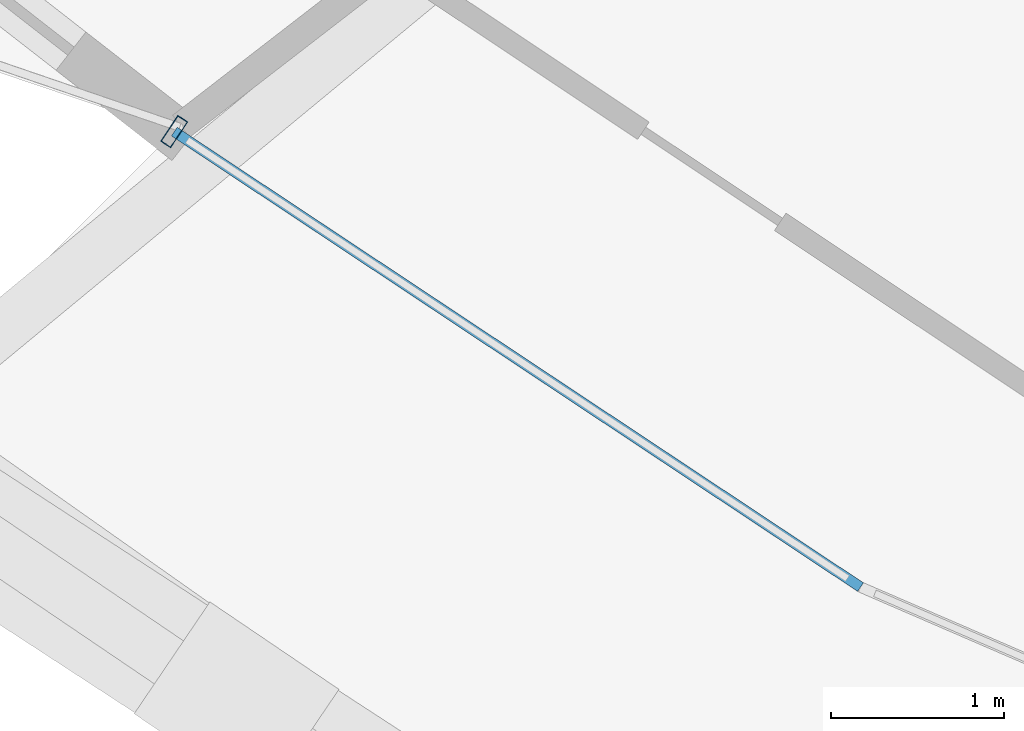
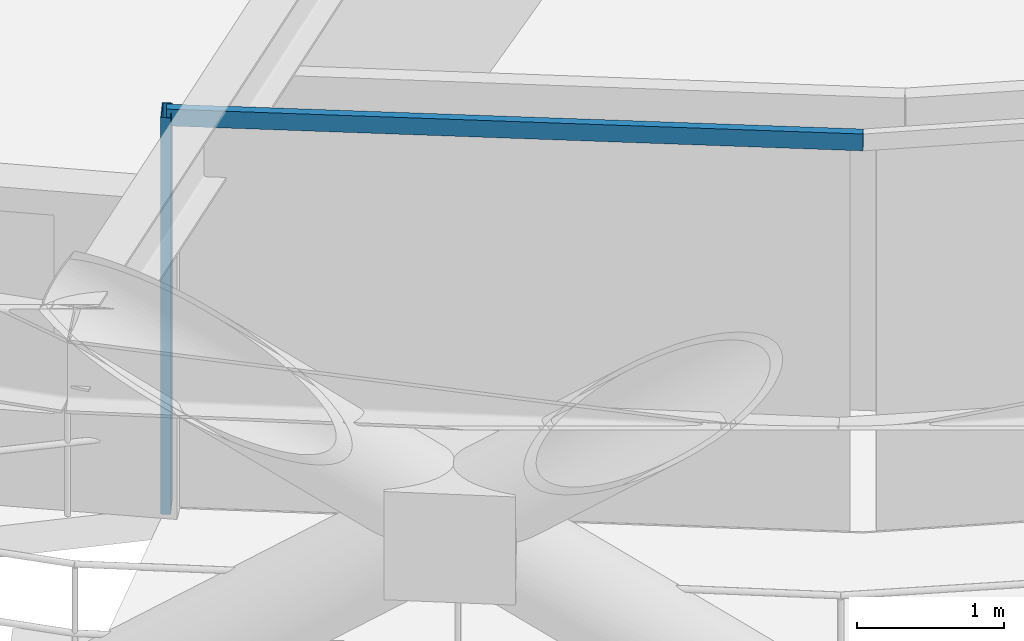
# One storey, part 2 of 21: 2 members, 1 element without a shape of its own.
"""IFC4 building model written with IfcOpenShell, lengths in metres."""

from ifc_helpers import new_model, si_unit, direction, frame, origin, origin_2d, place, context, subcontext, project, spatial, hollow_rectangle, extrude, material, layer, layer_set, material_profile, profile_set, type_object, element, aggregate, save


model = new_model("IFC4")

# Units and contexts
model_context = context("Model", 3, precision=1e-05, world=origin(), true_north=direction((0.0, 1.0)))
body_context = subcontext(model_context, "Body", "Model", "MODEL_VIEW")
ifc_project = project(units=[si_unit("LENGTHUNIT", "METRE"), si_unit("AREAUNIT", "SQUARE_METRE"), si_unit("VOLUMEUNIT", "CUBIC_METRE"), si_unit("PLANEANGLEUNIT", "RADIAN"), si_unit("MASSUNIT", "GRAM", prefix="KILO")], contexts=[model_context])

# Site, building, storey
site_placement = place(None, origin())
site = spatial("IfcSite", under=ifc_project, at=site_placement, CompositionType="ELEMENT")
building_placement = place(site_placement, origin())
building = spatial("IfcBuilding", under=site, at=building_placement, Name="Veldorina Hangang Commons", CompositionType="ELEMENT")
storey_placement = place(building_placement, frame((0.0, 0.0, 59.199951171875)))
storey = spatial("IfcBuildingStorey", under=building, at=storey_placement, Name="L14", CompositionType="ELEMENT", Elevation=59.199951171875)

# Curtain wall, members
ifc_material_1 = material(Name="Glass Low-E Triple IGU", Category="glass")
ifc_layer = layer(ifc_material_1, 0.179931640625)
ifc_layer_set = layer_set([ifc_layer], Name="Glass Low-E Triple IGU")
curtain_wall_type = type_object("IfcCurtainWallType", Name="CW-SYS-Z1", PredefinedType="NOTDEFINED", material=ifc_layer_set)
curtain_wall_placement = place(storey_placement, origin())
curtain_wall = element("IfcCurtainWall", 1, at=curtain_wall_placement, inside=storey, type_object=curtain_wall_type, Name="L14 unitised curtain wall CW-L14-R1", PredefinedType="NOTDEFINED")
ifc_material_2 = material(Name="Aluminium Anodized AA6063-T6", Category="aluminium")
ifc_material_profile_1 = material_profile(ifc_material_2, hollow_rectangle(XDim=0.070068359375, YDim=0.179931640625, WallThickness=0.00390625, at=origin_2d()), Name="ALU-RHS-180x70x4")
ifc_profile_set_1 = profile_set([ifc_material_profile_1], Name="Aluminium Anodized AA6063-T6")
member_type_1 = type_object("IfcMemberType", Name="CW-MUL-180", PredefinedType="MULLION", material=ifc_profile_set_1)
member_1_placement = place(storey_placement, frame((13.507080078125, 9.042724609375, 0.0), z_axis=(0.0, 0.0, 1.0), x_axis=(0.833162624029, -0.553028066124, 0.0)))
member_1 = element("IfcMember", 2, at=member_1_placement, type_object=member_type_1, Name="CW-L14-R1 vertical mullion 1", PredefinedType="MULLION", context=body_context, shape_type="SweptSolid", body=[
    extrude(hollow_rectangle(XDim=0.070068359375, YDim=0.179931640625, WallThickness=0.00390625, at=origin_2d()), origin(), (0.0, 0.0, 1.0), 3.300048828125),
])
ifc_material_profile_2 = material_profile(ifc_material_2, hollow_rectangle(XDim=0.06005859375, YDim=0.139892578125, WallThickness=0.00341796875, at=origin_2d()), Name="ALU-RHS-140x60x3.5")
ifc_profile_set_2 = profile_set([ifc_material_profile_2], Name="Aluminium Anodized AA6063-T6")
member_type_2 = type_object("IfcMemberType", Name="CW-TRN-140", PredefinedType="USERDEFINED", material=ifc_profile_set_2)
member_2_placement = place(storey_placement, frame((13.507080078125, 9.042724609375, 3.260009765625), z_axis=(0.833161980372, -0.553029035823, 0.0), x_axis=(0.553029035823, 0.833161980372, 0.0)))
member_2 = element("IfcMember", 3, at=member_2_placement, type_object=member_type_2, Name="CW-L14-R1 facet 1 transom 1", ObjectType="TRANSOM", PredefinedType="USERDEFINED", context=body_context, shape_type="SweptSolid", body=[
    extrude(hollow_rectangle(XDim=0.06005859375, YDim=0.139892578125, WallThickness=0.00341796875, at=origin_2d()), origin(), (0.0, 0.0, 1.0), 4.7568359375),
])
aggregate(curtain_wall, [member_1, member_2])

save(model, "model.ifc")
